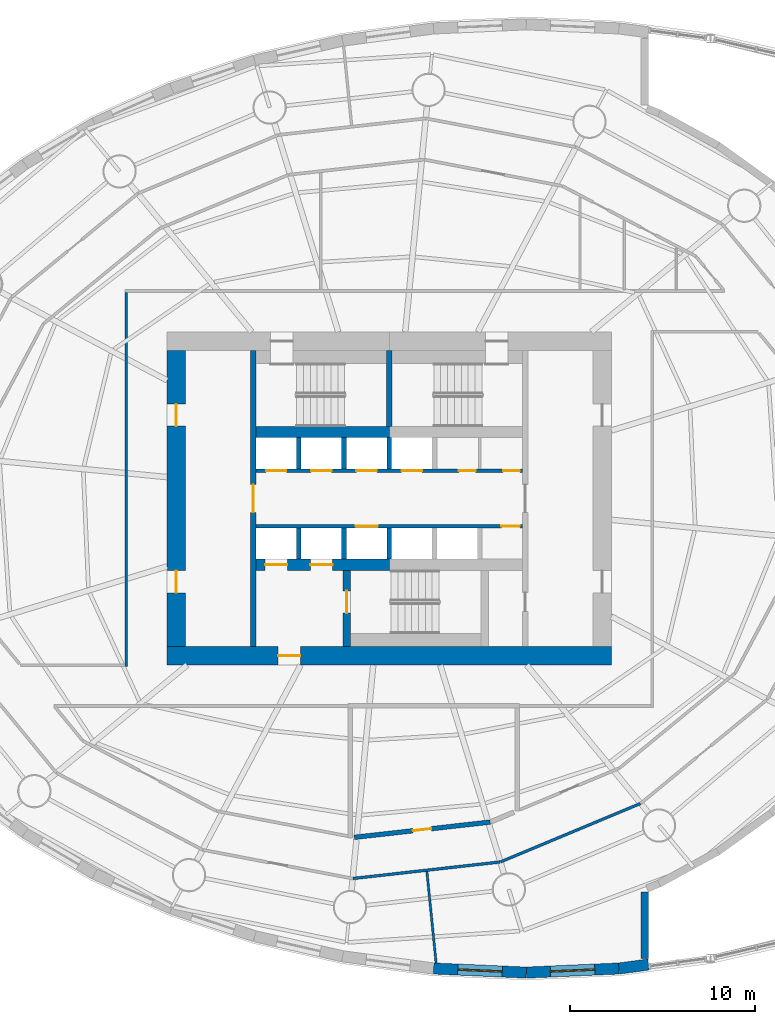
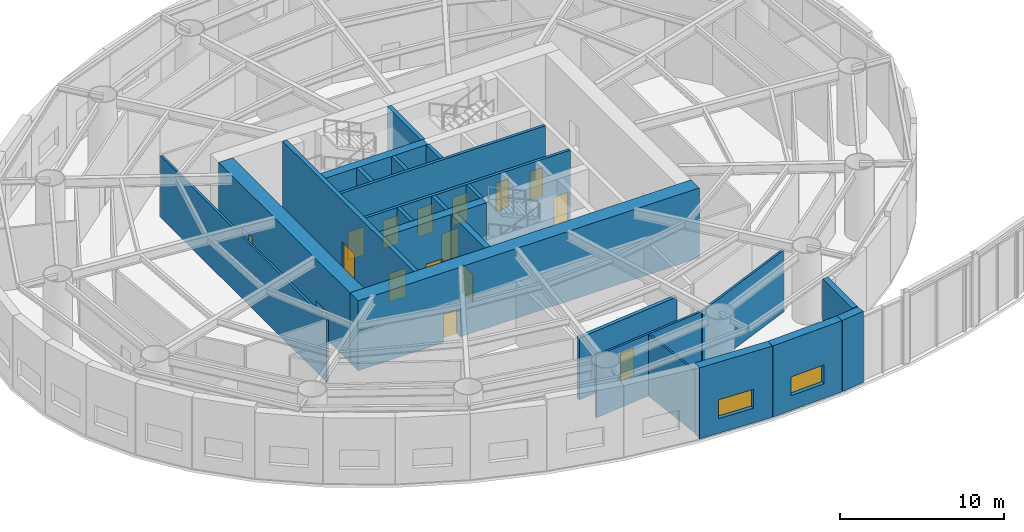
# One storey, part 15 of 19: 24 walls, 16 doors, 2 windows, 18 openings.
"""IFC4 building model written with IfcOpenShell, lengths in metres."""

from ifc_helpers import new_model, si_unit, direction, frame, frame_2d, origin, place, context, subcontext, project, spatial, rectangle, extrude, material, layer, layer_set, type_object, element, fill, save


model = new_model("IFC4")

# Units and contexts
model_context = context("Model", 3, precision=1e-05, world=origin(), true_north=direction((0.0, 1.0)))
body_context = subcontext(model_context, "Body", "Model", "MODEL_VIEW")
ifc_project = project(units=[si_unit("LENGTHUNIT", "METRE"), si_unit("AREAUNIT", "SQUARE_METRE"), si_unit("VOLUMEUNIT", "CUBIC_METRE"), si_unit("PLANEANGLEUNIT", "RADIAN"), si_unit("MASSUNIT", "GRAM", prefix="KILO")], contexts=[model_context])

# Site, building, storey
site_placement = place(None, origin())
site = spatial("IfcSite", under=ifc_project, at=site_placement, CompositionType="ELEMENT")
building_placement = place(site_placement, origin())
building = spatial("IfcBuilding", under=site, at=building_placement, Name="Vermilion Reach Broadcast Tower", CompositionType="ELEMENT")
storey_placement = place(building_placement, frame((0.0, 0.0, 26.0)))
storey = spatial("IfcBuildingStorey", under=building, at=storey_placement, Name="L03", CompositionType="ELEMENT", Elevation=26.0)

# Wall
ifc_material_1 = material(Name="Precast concrete C40/50 with acoustic cladding", Category="concrete")
ifc_layer_1 = layer(ifc_material_1, 0.39990234375)
ifc_layer_set_1 = layer_set([ifc_layer_1], Name="Atrium end wall 400")
wall_type_1 = type_object("IfcWallType", Name="Atrium end wall 400", PredefinedType="SOLIDWALL", material=ifc_layer_set_1)
wall_1_placement = place(storey_placement, frame((7.800048828125, -21.245849609375, 0.0), z_axis=(0.0, 0.0, 1.0), x_axis=(0.0, -1.0, 0.0)))
element("IfcWall", 1, at=wall_1_placement, inside=storey, type_object=wall_type_1, Name="Atrium end wall L03 2", PredefinedType="SOLIDWALL", context=body_context, shape_type="SweptSolid", body=[
    extrude(rectangle(XDim=3.599365234375, YDim=0.39990234375, at=frame_2d((1.7998046875, 0.0))), origin(), (0.0, 0.0, 1.0), 5.300048828125),
])

# Wall, opening, door
ifc_material_2 = material(Name="Concrete C70", Category="concrete")
ifc_layer_2 = layer(ifc_material_2, 0.300048828125)
ifc_layer_set_2 = layer_set([ifc_layer_2], Name="Core inner wall 300 mm Concrete C70")
wall_type_2 = type_object("IfcWallType", Name="Core inner wall 300 mm Concrete C70", PredefinedType="SHEAR", material=ifc_layer_set_2)
wall_2_placement = place(storey_placement, frame((-13.35009765625, 8.0, 0.0), z_axis=(0.0, 0.0, 1.0), x_axis=(0.0, -1.0, 0.0)))
wall_2 = element("IfcWall", 2, at=wall_2_placement, inside=storey, type_object=wall_type_2, Name="L03 core wall ewW", PredefinedType="SHEAR", context=body_context, shape_type="SweptSolid", body=[
    extrude(rectangle(XDim=16.0, YDim=0.300048828125, at=frame_2d((8.0, 0.0))), origin(), (0.0, 0.0, 1.0), 5.199951171875),
])
opening_1_placement = place(wall_2_placement, frame((7.25, 0.0, 0.0)))
opening_1 = element("IfcOpeningElement", 3, at=opening_1_placement, cuts=wall_2, Name="Opening D04", PredefinedType="OPENING", context=body_context, shape_type="SweptSolid", body=[
    extrude(rectangle(XDim=1.5, YDim=2.10009765625, at=frame_2d((0.75, 1.050048828125))), frame((0.0, 0.159912109375, 0.0), z_axis=(0.0, -1.0, 0.0), x_axis=(1.0, 0.0, 0.0)), (0.0, 0.0, 1.0), 0.320068359375),
])
ifc_material_3 = material(Name="Painted steel fire door", Category="steel")
door_type_1 = type_object("IfcDoorType", Name="Lift lobby door 1500 x 2100", OperationType="DOUBLE_DOOR_SINGLE_SWING", PredefinedType="NOTDEFINED", material=ifc_material_3)
door_1_placement = place(opening_1_placement, origin())
door_1 = element("IfcDoor", 4, at=door_1_placement, inside=storey, type_object=door_type_1, Name="L03 band door BW", OperationType="DOUBLE_DOOR_SINGLE_SWING", OverallHeight=2.10009765625, OverallWidth=1.5, PredefinedType="NOTDEFINED", context=body_context, shape_type="SweptSolid", body=[
    extrude(rectangle(XDim=1.5, YDim=2.10009765625, at=frame_2d((0.75, 1.050048828125))), frame((0.0, 0.02490234375, 0.0), z_axis=(0.0, -1.0, 0.0), x_axis=(1.0, 0.0, 0.0)), (0.0, 0.0, 1.0), 0.050048828125),
])
fill(opening_1, door_1)

# Wall
wall_3_placement = place(storey_placement, frame((-6.0, 3.8798828125, 0.0), z_axis=(0.0, 0.0, 1.0), x_axis=(0.0, 1.0, 0.0)))
element("IfcWall", 5, at=wall_3_placement, inside=storey, type_object=wall_type_2, Name="L03 core wall wc", PredefinedType="SHEAR", context=body_context, shape_type="SweptSolid", body=[
    extrude(rectangle(XDim=4.1201171875, YDim=0.300048828125, at=frame_2d((2.06005859375, 0.0))), origin(), (0.0, 0.0, 1.0), 5.199951171875),
])

# Wall, opening, door
ifc_material_4 = material(Name="Concrete C70", Category="concrete")
ifc_layer_3 = layer(ifc_material_4, 0.39990234375)
ifc_layer_set_3 = layer_set([ifc_layer_3], Name="Core inner wall 400 mm Concrete C70")
wall_type_3 = type_object("IfcWallType", Name="Core inner wall 400 mm Concrete C70", PredefinedType="SHEAR", material=ifc_layer_set_3)
wall_4_placement = place(storey_placement, frame((-8.300048828125, -3.8798828125, 0.0), z_axis=(0.0, 0.0, 1.0), x_axis=(0.0, -1.0, 0.0)))
wall_4 = element("IfcWall", 6, at=wall_4_placement, inside=storey, type_object=wall_type_3, Name="L03 core wall wa", PredefinedType="SHEAR", context=body_context, shape_type="SweptSolid", body=[
    extrude(rectangle(XDim=4.1201171875, YDim=0.39990234375, at=frame_2d((2.06005859375, 0.0))), origin(), (0.0, 0.0, 1.0), 5.199951171875),
])
opening_2_placement = place(wall_4_placement, frame((1.110107421875, 0.0, 0.0)))
opening_2 = element("IfcOpeningElement", 7, at=opening_2_placement, cuts=wall_4, Name="Opening D01", PredefinedType="OPENING", context=body_context, shape_type="SweptSolid", body=[
    extrude(rectangle(XDim=1.199951171875, YDim=2.10009765625, at=frame_2d((0.60009765625, 1.050048828125))), frame((0.0, 0.2099609375, 0.0), z_axis=(0.0, -1.0, 0.0), x_axis=(1.0, 0.0, 0.0)), (0.0, 0.0, 1.0), 0.419921875),
])
ifc_material_5 = material(Name="Painted steel fire door", Category="steel")
door_type_2 = type_object("IfcDoorType", Name="Stair door 1200 x 2100", OperationType="DOUBLE_DOOR_SINGLE_SWING", PredefinedType="NOTDEFINED", material=ifc_material_5)
door_2_placement = place(opening_2_placement, origin())
door_2 = element("IfcDoor", 8, at=door_2_placement, inside=storey, type_object=door_type_2, Name="L03 stair door ST3", OperationType="DOUBLE_DOOR_SINGLE_SWING", OverallHeight=2.10009765625, OverallWidth=1.199951171875, PredefinedType="NOTDEFINED", context=body_context, shape_type="SweptSolid", body=[
    extrude(rectangle(XDim=1.199951171875, YDim=2.10009765625, at=frame_2d((0.60009765625, 1.050048828125))), frame((0.0, 0.02490234375, 0.0), z_axis=(0.0, -1.0, 0.0), x_axis=(1.0, 0.0, 0.0)), (0.0, 0.0, 1.0), 0.050048828125),
])
fill(opening_2, door_2)

# Wall
ifc_material_6 = material(Name="Concrete C70", Category="concrete")
ifc_layer_4 = layer(ifc_material_6, 0.60009765625)
ifc_layer_set_4 = layer_set([ifc_layer_4], Name="Core inner wall 600 mm Concrete C70")
wall_type_4 = type_object("IfcWallType", Name="Core inner wall 600 mm Concrete C70", PredefinedType="SHEAR", material=ifc_layer_set_4)
wall_5_placement = place(storey_placement, frame((-13.199951171875, 3.580078125, 0.0), z_axis=(0.0, 0.0, 1.0), x_axis=(1.0, 0.0, 0.0)))
element("IfcWall", 9, at=wall_5_placement, inside=storey, type_object=wall_type_4, Name="L03 core wall winW", PredefinedType="SHEAR", context=body_context, shape_type="SweptSolid", body=[
    extrude(rectangle(XDim=7.199951171875, YDim=0.60009765625, at=frame_2d((3.60009765625, 0.0))), origin(), (0.0, 0.0, 1.0), 5.199951171875),
])

# Wall, openings, doors
wall_6_placement = place(storey_placement, frame((-13.199951171875, -3.580078125, 0.0), z_axis=(0.0, 0.0, 1.0), x_axis=(1.0, 0.0, 0.0)))
wall_6 = element("IfcWall", 10, at=wall_6_placement, inside=storey, type_object=wall_type_4, Name="L03 core wall wisW", PredefinedType="SHEAR", context=body_context, shape_type="SweptSolid", body=[
    extrude(rectangle(XDim=7.199951171875, YDim=0.60009765625, at=frame_2d((3.60009765625, 0.0))), origin(), (0.0, 0.0, 1.0), 5.199951171875),
])
opening_3_placement = place(wall_6_placement, frame((0.495849609375, 0.0, 0.0)))
opening_3 = element("IfcOpeningElement", 11, at=opening_3_placement, cuts=wall_6, Name="Opening LD1", PredefinedType="OPENING", context=body_context, shape_type="SweptSolid", body=[
    extrude(rectangle(XDim=1.199951171875, YDim=2.10009765625, at=frame_2d((0.60009765625, 1.050048828125))), frame((0.0, 0.31005859375, 0.0), z_axis=(0.0, -1.0, 0.0), x_axis=(1.0, 0.0, 0.0)), (0.0, 0.0, 1.0), 0.6201171875),
])
opening_4_placement = place(wall_6_placement, frame((2.9375, 0.0, 0.0)))
opening_4 = element("IfcOpeningElement", 12, at=opening_4_placement, cuts=wall_6, Name="Opening LD1", PredefinedType="OPENING", context=body_context, shape_type="SweptSolid", body=[
    extrude(rectangle(XDim=1.199951171875, YDim=2.10009765625, at=frame_2d((0.60009765625, 1.050048828125))), frame((0.0, 0.31005859375, 0.0), z_axis=(0.0, -1.0, 0.0), x_axis=(1.0, 0.0, 0.0)), (0.0, 0.0, 1.0), 0.6201171875),
])
ifc_material_7 = material(Name="Stainless steel", Category="steel")
door_type_3 = type_object("IfcDoorType", Name="Landing door 1200 x 2100", OperationType="DOUBLE_DOOR_SLIDING", PredefinedType="NOTDEFINED", material=ifc_material_7)
door_3_placement = place(opening_3_placement, origin())
door_3 = element("IfcDoor", 13, at=door_3_placement, inside=storey, type_object=door_type_3, Name="L03 landing door FF1", OperationType="DOUBLE_DOOR_SLIDING", OverallHeight=2.10009765625, OverallWidth=1.199951171875, PredefinedType="NOTDEFINED", context=body_context, shape_type="SweptSolid", body=[
    extrude(rectangle(XDim=1.199951171875, YDim=2.10009765625, at=frame_2d((0.60009765625, 1.050048828125))), frame((0.0, 0.02490234375, 0.0), z_axis=(0.0, -1.0, 0.0), x_axis=(1.0, 0.0, 0.0)), (0.0, 0.0, 1.0), 0.050048828125),
])
fill(opening_3, door_3)
door_4_placement = place(opening_4_placement, origin())
door_4 = element("IfcDoor", 14, at=door_4_placement, inside=storey, type_object=door_type_3, Name="L03 landing door FF2", OperationType="DOUBLE_DOOR_SLIDING", OverallHeight=2.10009765625, OverallWidth=1.199951171875, PredefinedType="NOTDEFINED", context=body_context, shape_type="SweptSolid", body=[
    extrude(rectangle(XDim=1.199951171875, YDim=2.10009765625, at=frame_2d((0.60009765625, 1.050048828125))), frame((0.0, 0.02490234375, 0.0), z_axis=(0.0, -1.0, 0.0), x_axis=(1.0, 0.0, 0.0)), (0.0, 0.0, 1.0), 0.050048828125),
])
fill(opening_4, door_4)

# Wall, opening, door
ifc_material_8 = material(Name="Concrete C70", Category="concrete")
ifc_layer_5 = layer(ifc_material_8, 1.0)
ifc_layer_set_5 = layer_set([ifc_layer_5], Name="Core outer wall 1000 mm Concrete C70")
wall_type_5 = type_object("IfcWallType", Name="Core outer wall 1000 mm Concrete C70", PredefinedType="SHEAR", material=ifc_layer_set_5)
wall_7_placement = place(storey_placement, frame((-18.0, -8.5, 0.0), z_axis=(0.0, 0.0, 1.0), x_axis=(1.0, 0.0, 0.0)))
wall_7 = element("IfcWall", 15, at=wall_7_placement, inside=storey, type_object=wall_type_5, Name="L03 core wall os", PredefinedType="SHEAR", context=body_context, shape_type="SweptSolid", body=[
    extrude(rectangle(XDim=24.0, YDim=1.0, at=frame_2d((12.0, 0.0))), origin(), (0.0, 0.0, 1.0), 5.199951171875),
])
opening_5_placement = place(wall_7_placement, frame((6.0, 0.0, 0.0)))
opening_5 = element("IfcOpeningElement", 16, at=opening_5_placement, cuts=wall_7, Name="Opening D02", PredefinedType="OPENING", context=body_context, shape_type="SweptSolid", body=[
    extrude(rectangle(XDim=1.199951171875, YDim=2.10009765625, at=frame_2d((0.60009765625, 1.050048828125))), frame((0.0, 0.510009765625, 0.0), z_axis=(0.0, -1.0, 0.0), x_axis=(1.0, 0.0, 0.0)), (0.0, 0.0, 1.0), 1.02001953125),
])
ifc_material_9 = material(Name="Painted steel fire door", Category="steel")
door_type_4 = type_object("IfcDoorType", Name="Firefighting lobby door 1200 x 2100", OperationType="DOUBLE_DOOR_SINGLE_SWING", PredefinedType="NOTDEFINED", material=ifc_material_9)
door_5_placement = place(opening_5_placement, origin())
door_5 = element("IfcDoor", 17, at=door_5_placement, inside=storey, type_object=door_type_4, Name="L03 ffdoor door FFL", OperationType="DOUBLE_DOOR_SINGLE_SWING", OverallHeight=2.10009765625, OverallWidth=1.199951171875, PredefinedType="NOTDEFINED", context=body_context, shape_type="SweptSolid", body=[
    extrude(rectangle(XDim=1.199951171875, YDim=2.10009765625, at=frame_2d((0.60009765625, 1.050048828125))), frame((0.0, 0.02490234375, 0.0), z_axis=(0.0, -1.0, 0.0), x_axis=(1.0, 0.0, 0.0)), (0.0, 0.0, 1.0), 0.050048828125),
])
fill(opening_5, door_5)

# Wall, openings, doors
wall_8_placement = place(storey_placement, frame((-17.5, 8.0, 0.0), z_axis=(0.0, 0.0, 1.0), x_axis=(0.0, -1.0, 0.0)))
wall_8 = element("IfcWall", 18, at=wall_8_placement, inside=storey, type_object=wall_type_5, Name="L03 core wall ow", PredefinedType="SHEAR", context=body_context, shape_type="SweptSolid", body=[
    extrude(rectangle(XDim=16.0, YDim=1.0, at=frame_2d((8.0, 0.0))), origin(), (0.0, 0.0, 1.0), 5.199951171875),
])
opening_6_placement = place(wall_8_placement, frame((11.89990234375, 0.0, 0.0)))
opening_6 = element("IfcOpeningElement", 19, at=opening_6_placement, cuts=wall_8, Name="Opening D03", PredefinedType="OPENING", context=body_context, shape_type="SweptSolid", body=[
    extrude(rectangle(XDim=1.199951171875, YDim=2.10009765625, at=frame_2d((0.60009765625, 1.050048828125))), frame((0.0, 0.510009765625, 0.0), z_axis=(0.0, -1.0, 0.0), x_axis=(1.0, 0.0, 0.0)), (0.0, 0.0, 1.0), 1.02001953125),
])
opening_7_placement = place(wall_8_placement, frame((2.89990234375, 0.0, 0.0)))
opening_7 = element("IfcOpeningElement", 20, at=opening_7_placement, cuts=wall_8, Name="Opening D03", PredefinedType="OPENING", context=body_context, shape_type="SweptSolid", body=[
    extrude(rectangle(XDim=1.199951171875, YDim=2.10009765625, at=frame_2d((0.60009765625, 1.050048828125))), frame((0.0, 0.510009765625, 0.0), z_axis=(0.0, -1.0, 0.0), x_axis=(1.0, 0.0, 0.0)), (0.0, 0.0, 1.0), 1.02001953125),
])
ifc_material_10 = material(Name="Painted steel fire door", Category="steel")
door_type_5 = type_object("IfcDoorType", Name="Core lobby door 1200 x 2100", OperationType="DOUBLE_DOOR_SINGLE_SWING", PredefinedType="NOTDEFINED", material=ifc_material_10)
door_6_placement = place(opening_6_placement, origin())
door_6 = element("IfcDoor", 21, at=door_6_placement, inside=storey, type_object=door_type_5, Name="L03 slot door W0", OperationType="DOUBLE_DOOR_SINGLE_SWING", OverallHeight=2.10009765625, OverallWidth=1.199951171875, PredefinedType="NOTDEFINED", context=body_context, shape_type="SweptSolid", body=[
    extrude(rectangle(XDim=1.199951171875, YDim=2.10009765625, at=frame_2d((0.60009765625, 1.050048828125))), frame((0.0, 0.02490234375, 0.0), z_axis=(0.0, -1.0, 0.0), x_axis=(1.0, 0.0, 0.0)), (0.0, 0.0, 1.0), 0.050048828125),
])
fill(opening_6, door_6)
door_7_placement = place(opening_7_placement, origin())
door_7 = element("IfcDoor", 22, at=door_7_placement, inside=storey, type_object=door_type_5, Name="L03 slot door W1", OperationType="DOUBLE_DOOR_SINGLE_SWING", OverallHeight=2.10009765625, OverallWidth=1.199951171875, PredefinedType="NOTDEFINED", context=body_context, shape_type="SweptSolid", body=[
    extrude(rectangle(XDim=1.199951171875, YDim=2.10009765625, at=frame_2d((0.60009765625, 1.050048828125))), frame((0.0, 0.02490234375, 0.0), z_axis=(0.0, -1.0, 0.0), x_axis=(1.0, 0.0, 0.0)), (0.0, 0.0, 1.0), 0.050048828125),
])
fill(opening_7, door_7)

ifc_material_11 = material(Name="Concrete C50", Category="concrete")
ifc_layer_6 = layer(ifc_material_11, 0.199951171875)
ifc_layer_set_6 = layer_set([ifc_layer_6], Name="Core shaft wall 200 mm Concrete C50")
wall_type_6 = type_object("IfcWallType", Name="Core shaft wall 200 mm Concrete C50", PredefinedType="SHEAR", material=ifc_layer_set_6)
wall_9_placement = place(storey_placement, frame((-13.199951171875, 1.5, 0.0), z_axis=(0.0, 0.0, 1.0), x_axis=(1.0, 0.0, 0.0)))
wall_9 = element("IfcWall", 23, at=wall_9_placement, inside=storey, type_object=wall_type_6, Name="L03 core wall fn", PredefinedType="SHEAR", context=body_context, shape_type="SweptSolid", body=[
    extrude(rectangle(XDim=14.39990234375, YDim=0.199951171875, at=frame_2d((7.199951171875, 0.0))), origin(), (0.0, 0.0, 1.0), 5.199951171875),
])
opening_8_placement = place(wall_9_placement, frame((0.5458984375, 0.0, 0.0)))
opening_8 = element("IfcOpeningElement", 24, at=opening_8_placement, cuts=wall_9, Name="Opening LD2", PredefinedType="OPENING", context=body_context, shape_type="SweptSolid", body=[
    extrude(rectangle(XDim=1.10009765625, YDim=2.10009765625, at=frame_2d((0.550048828125, 1.050048828125))), frame((0.0, 0.10986328125, 0.0), z_axis=(0.0, -1.0, 0.0), x_axis=(1.0, 0.0, 0.0)), (0.0, 0.0, 1.0), 0.219970703125),
])
opening_9_placement = place(wall_9_placement, frame((2.987548828125, 0.0, 0.0)))
opening_9 = element("IfcOpeningElement", 25, at=opening_9_placement, cuts=wall_9, Name="Opening LD2", PredefinedType="OPENING", context=body_context, shape_type="SweptSolid", body=[
    extrude(rectangle(XDim=1.10009765625, YDim=2.10009765625, at=frame_2d((0.550048828125, 1.050048828125))), frame((0.0, 0.10986328125, 0.0), z_axis=(0.0, -1.0, 0.0), x_axis=(1.0, 0.0, 0.0)), (0.0, 0.0, 1.0), 0.219970703125),
])
opening_10_placement = place(wall_9_placement, frame((5.42919921875, 0.0, 0.0)))
opening_10 = element("IfcOpeningElement", 26, at=opening_10_placement, cuts=wall_9, Name="Opening LD2", PredefinedType="OPENING", context=body_context, shape_type="SweptSolid", body=[
    extrude(rectangle(XDim=1.10009765625, YDim=2.10009765625, at=frame_2d((0.550048828125, 1.050048828125))), frame((0.0, 0.10986328125, 0.0), z_axis=(0.0, -1.0, 0.0), x_axis=(1.0, 0.0, 0.0)), (0.0, 0.0, 1.0), 0.219970703125),
])
opening_11_placement = place(wall_9_placement, frame((7.870849609375, 0.0, 0.0)))
opening_11 = element("IfcOpeningElement", 27, at=opening_11_placement, cuts=wall_9, Name="Opening LD2", PredefinedType="OPENING", context=body_context, shape_type="SweptSolid", body=[
    extrude(rectangle(XDim=1.10009765625, YDim=2.10009765625, at=frame_2d((0.550048828125, 1.050048828125))), frame((0.0, 0.10986328125, 0.0), z_axis=(0.0, -1.0, 0.0), x_axis=(1.0, 0.0, 0.0)), (0.0, 0.0, 1.0), 0.219970703125),
])
opening_12_placement = place(wall_9_placement, frame((10.958251953125, 0.0, 0.0)))
opening_12 = element("IfcOpeningElement", 28, at=opening_12_placement, cuts=wall_9, Name="Opening D06", PredefinedType="OPENING", context=body_context, shape_type="SweptSolid", body=[
    extrude(rectangle(XDim=0.89990234375, YDim=2.10009765625, at=frame_2d((0.449951171875, 1.050048828125))), frame((0.0, 0.10986328125, 0.0), z_axis=(0.0, -1.0, 0.0), x_axis=(1.0, 0.0, 0.0)), (0.0, 0.0, 1.0), 0.219970703125),
])
opening_13_placement = place(wall_9_placement, frame((13.35009765625, 0.0, 0.0)))
opening_13 = element("IfcOpeningElement", 29, at=opening_13_placement, cuts=wall_9, Name="Opening D06", PredefinedType="OPENING", context=body_context, shape_type="SweptSolid", body=[
    extrude(rectangle(XDim=0.89990234375, YDim=2.10009765625, at=frame_2d((0.449951171875, 1.050048828125))), frame((0.0, 0.10986328125, 0.0), z_axis=(0.0, -1.0, 0.0), x_axis=(1.0, 0.0, 0.0)), (0.0, 0.0, 1.0), 0.219970703125),
])
ifc_material_12 = material(Name="Stainless steel", Category="steel")
door_type_6 = type_object("IfcDoorType", Name="Landing door 1100 x 2100", OperationType="DOUBLE_DOOR_SLIDING", PredefinedType="NOTDEFINED", material=ifc_material_12)
door_8_placement = place(opening_8_placement, origin())
door_8 = element("IfcDoor", 30, at=door_8_placement, inside=storey, type_object=door_type_6, Name="L03 landing door LR1", OperationType="DOUBLE_DOOR_SLIDING", OverallHeight=2.10009765625, OverallWidth=1.10009765625, PredefinedType="NOTDEFINED", context=body_context, shape_type="SweptSolid", body=[
    extrude(rectangle(XDim=1.10009765625, YDim=2.10009765625, at=frame_2d((0.550048828125, 1.050048828125))), frame((0.0, 0.02490234375, 0.0), z_axis=(0.0, -1.0, 0.0), x_axis=(1.0, 0.0, 0.0)), (0.0, 0.0, 1.0), 0.050048828125),
])
fill(opening_8, door_8)
door_9_placement = place(opening_9_placement, origin())
door_9 = element("IfcDoor", 31, at=door_9_placement, inside=storey, type_object=door_type_6, Name="L03 landing door LR2", OperationType="DOUBLE_DOOR_SLIDING", OverallHeight=2.10009765625, OverallWidth=1.10009765625, PredefinedType="NOTDEFINED", context=body_context, shape_type="SweptSolid", body=[
    extrude(rectangle(XDim=1.10009765625, YDim=2.10009765625, at=frame_2d((0.550048828125, 1.050048828125))), frame((0.0, 0.02490234375, 0.0), z_axis=(0.0, -1.0, 0.0), x_axis=(1.0, 0.0, 0.0)), (0.0, 0.0, 1.0), 0.050048828125),
])
fill(opening_9, door_9)
door_10_placement = place(opening_10_placement, origin())
door_10 = element("IfcDoor", 32, at=door_10_placement, inside=storey, type_object=door_type_6, Name="L03 landing door LR3", OperationType="DOUBLE_DOOR_SLIDING", OverallHeight=2.10009765625, OverallWidth=1.10009765625, PredefinedType="NOTDEFINED", context=body_context, shape_type="SweptSolid", body=[
    extrude(rectangle(XDim=1.10009765625, YDim=2.10009765625, at=frame_2d((0.550048828125, 1.050048828125))), frame((0.0, 0.02490234375, 0.0), z_axis=(0.0, -1.0, 0.0), x_axis=(1.0, 0.0, 0.0)), (0.0, 0.0, 1.0), 0.050048828125),
])
fill(opening_10, door_10)
door_11_placement = place(opening_11_placement, origin())
door_11 = element("IfcDoor", 33, at=door_11_placement, inside=storey, type_object=door_type_6, Name="L03 landing door LR4", OperationType="DOUBLE_DOOR_SLIDING", OverallHeight=2.10009765625, OverallWidth=1.10009765625, PredefinedType="NOTDEFINED", context=body_context, shape_type="SweptSolid", body=[
    extrude(rectangle(XDim=1.10009765625, YDim=2.10009765625, at=frame_2d((0.550048828125, 1.050048828125))), frame((0.0, 0.02490234375, 0.0), z_axis=(0.0, -1.0, 0.0), x_axis=(1.0, 0.0, 0.0)), (0.0, 0.0, 1.0), 0.050048828125),
])
fill(opening_11, door_11)
ifc_material_13 = material(Name="Timber door", Category="wood")
door_type_7 = type_object("IfcDoorType", Name="WC door 900 x 2100", OperationType="NOTDEFINED", PredefinedType="NOTDEFINED", material=ifc_material_13)
door_12_placement = place(opening_12_placement, origin())
door_12 = element("IfcDoor", 34, at=door_12_placement, inside=storey, type_object=door_type_7, Name="L03 door Female WC", OperationType="SINGLE_SWING_RIGHT", OverallHeight=2.10009765625, OverallWidth=0.89990234375, PredefinedType="NOTDEFINED", context=body_context, shape_type="SweptSolid", body=[
    extrude(rectangle(XDim=0.89990234375, YDim=2.10009765625, at=frame_2d((0.449951171875, 1.050048828125))), frame((0.0, 0.02490234375, 0.0), z_axis=(0.0, -1.0, 0.0), x_axis=(1.0, 0.0, 0.0)), (0.0, 0.0, 1.0), 0.050048828125),
])
fill(opening_12, door_12)
door_13_placement = place(opening_13_placement, origin())
door_13 = element("IfcDoor", 35, at=door_13_placement, inside=storey, type_object=door_type_7, Name="L03 door Male WC", OperationType="SINGLE_SWING_RIGHT", OverallHeight=2.10009765625, OverallWidth=0.89990234375, PredefinedType="NOTDEFINED", context=body_context, shape_type="SweptSolid", body=[
    extrude(rectangle(XDim=0.89990234375, YDim=2.10009765625, at=frame_2d((0.449951171875, 1.050048828125))), frame((0.0, 0.02490234375, 0.0), z_axis=(0.0, -1.0, 0.0), x_axis=(1.0, 0.0, 0.0)), (0.0, 0.0, 1.0), 0.050048828125),
])
fill(opening_13, door_13)

wall_10_placement = place(storey_placement, frame((1.199951171875, -1.5, 0.0), z_axis=(0.0, 0.0, 1.0), x_axis=(-1.0, 0.0, 0.0)))
wall_10 = element("IfcWall", 36, at=wall_10_placement, inside=storey, type_object=wall_type_6, Name="L03 core wall fs", PredefinedType="SHEAR", context=body_context, shape_type="SweptSolid", body=[
    extrude(rectangle(XDim=14.39990234375, YDim=0.199951171875, at=frame_2d((7.199951171875, 0.0))), origin(), (0.0, 0.0, 1.0), 5.199951171875),
])
opening_14_placement = place(wall_10_placement, frame((7.82080078125, 0.0, 0.0)))
opening_14 = element("IfcOpeningElement", 37, at=opening_14_placement, cuts=wall_10, Name="Opening LD1", PredefinedType="OPENING", context=body_context, shape_type="SweptSolid", body=[
    extrude(rectangle(XDim=1.199951171875, YDim=2.10009765625, at=frame_2d((0.60009765625, 1.050048828125))), frame((0.0, 0.10986328125, 0.0), z_axis=(0.0, -1.0, 0.0), x_axis=(1.0, 0.0, 0.0)), (0.0, 0.0, 1.0), 0.219970703125),
])
opening_15_placement = place(wall_10_placement, frame((0.14990234375, 0.0, 0.0)))
opening_15 = element("IfcOpeningElement", 38, at=opening_15_placement, cuts=wall_10, Name="Opening D07", PredefinedType="OPENING", context=body_context, shape_type="SweptSolid", body=[
    extrude(rectangle(XDim=1.0, YDim=2.10009765625, at=frame_2d((0.5, 1.050048828125))), frame((0.0, 0.10986328125, 0.0), z_axis=(0.0, -1.0, 0.0), x_axis=(1.0, 0.0, 0.0)), (0.0, 0.0, 1.0), 0.219970703125),
])
ifc_material_14 = material(Name="Timber door", Category="wood")
door_type_8 = type_object("IfcDoorType", Name="Accessible WC door 1000 x 2100", OperationType="NOTDEFINED", PredefinedType="NOTDEFINED", material=ifc_material_14)
door_14_placement = place(opening_15_placement, origin())
door_14 = element("IfcDoor", 39, at=door_14_placement, inside=storey, type_object=door_type_8, Name="L03 door Accessible WC", OperationType="SINGLE_SWING_LEFT", OverallHeight=2.10009765625, OverallWidth=1.0, PredefinedType="NOTDEFINED", context=body_context, shape_type="SweptSolid", body=[
    extrude(rectangle(XDim=1.0, YDim=2.10009765625, at=frame_2d((0.5, 1.050048828125))), frame((0.0, 0.02490234375, 0.0), z_axis=(0.0, -1.0, 0.0), x_axis=(1.0, 0.0, 0.0)), (0.0, 0.0, 1.0), 0.050048828125),
])
fill(opening_15, door_14)
door_15_placement = place(opening_14_placement, origin())
door_15 = element("IfcDoor", 40, at=door_15_placement, inside=storey, type_object=door_type_3, Name="L03 landing door SV1", OperationType="DOUBLE_DOOR_SLIDING", OverallHeight=2.10009765625, OverallWidth=1.199951171875, PredefinedType="NOTDEFINED", context=body_context, shape_type="SweptSolid", body=[
    extrude(rectangle(XDim=1.199951171875, YDim=2.10009765625, at=frame_2d((0.60009765625, 1.050048828125))), frame((0.0, 0.02490234375, 0.0), z_axis=(0.0, -1.0, 0.0), x_axis=(1.0, 0.0, 0.0)), (0.0, 0.0, 1.0), 0.050048828125),
])
fill(opening_14, door_15)

# Walls
ifc_material_15 = material(Name="Concrete C50", Category="concrete")
ifc_layer_7 = layer(ifc_material_15, 0.25)
ifc_layer_set_7 = layer_set([ifc_layer_7], Name="Core shaft wall 250 mm Concrete C50")
wall_type_7 = type_object("IfcWallType", Name="Core shaft wall 250 mm Concrete C50", PredefinedType="SHEAR", material=ifc_layer_set_7)
for number, where, z_axis, x_axis, name in (
    (41, (-10.88330078125, 1.60009765625, 0.0), (0.0, 0.0, 1.0), (0.0, 1.0, 0.0), "L03 core wall psN0"),
    (42, (-8.441650390625, 1.60009765625, 0.0), (0.0, 0.0, 1.0), (0.0, 1.0, 0.0), "L03 core wall psN1"),
    (43, (-6.0, 1.60009765625, 0.0), (0.0, 0.0, 1.0), (0.0, 1.0, 0.0), "L03 core wall psN2"),
    (44, (-10.88330078125, -1.60009765625, 0.0), (0.0, 0.0, 1.0), (0.0, -1.0, 0.0), "L03 core wall psS0"),
    (45, (-8.441650390625, -1.60009765625, 0.0), (0.0, 0.0, 1.0), (0.0, -1.0, 0.0), "L03 core wall psS1"),
    (46, (-6.0, -1.60009765625, 0.0), (0.0, 0.0, 1.0), (0.0, -1.0, 0.0), "L03 core wall psS2"),
):
    element("IfcWall", number, at=place(storey_placement, frame(where, z_axis=z_axis, x_axis=x_axis)), inside=storey, type_object=wall_type_7, Name=name, PredefinedType="SHEAR", context=body_context, shape_type="SweptSolid", body=[
        extrude(rectangle(XDim=1.679931640625, YDim=0.25, at=frame_2d((0.83984375, 0.0))), origin(), (0.0, 0.0, 1.0), 5.199951171875),
    ])
ifc_material_16 = material(Name="Gypsum board partition")
ifc_layer_8 = layer(ifc_material_16, 0.14990234375)
ifc_layer_set_8 = layer_set([ifc_layer_8], Name="Corridor wall 150")
wall_type_8 = type_object("IfcWallType", Name="Corridor wall 150", PredefinedType="PARTITIONING", material=ifc_layer_set_8)
wall_11_placement = place(storey_placement, frame((-20.199951171875, -9.0751953125, 0.0), z_axis=(0.0, 0.0, 1.0), x_axis=(0.0, 1.0, 0.0)))
element("IfcWall", 47, at=wall_11_placement, inside=storey, type_object=wall_type_8, Name="sp.wall.L03.001", PredefinedType="PARTITIONING", context=body_context, shape_type="SweptSolid", body=[
    extrude(rectangle(XDim=20.2001953125, YDim=0.14990234375, at=frame_2d((10.10009765625, 0.0))), origin(), (0.0, 0.0, 1.0), 4.60009765625),
])
wall_12_placement = place(storey_placement, frame((-7.94921875, -20.518310546875, 0.0), z_axis=(0.0, 0.0, 1.0), x_axis=(0.993764533241, 0.11149911422, 0.0)))
element("IfcWall", 48, at=wall_12_placement, inside=storey, type_object=wall_type_8, Name="sp.wall.L03.050", PredefinedType="PARTITIONING", context=body_context, shape_type="SweptSolid", body=[
    extrude(rectangle(XDim=7.981201171875, YDim=0.14990234375, at=frame_2d((3.99072265625, 0.0))), origin(), (0.0, 0.0, 1.0), 4.60009765625),
])
wall_13_placement = place(storey_placement, frame((0.00390625, -19.6259765625, 0.0), z_axis=(0.0, 0.0, 1.0), x_axis=(0.922818121352, 0.385235921097, 0.0)))
element("IfcWall", 49, at=wall_13_placement, inside=storey, type_object=wall_type_8, Name="sp.wall.L03.051", PredefinedType="PARTITIONING", context=body_context, shape_type="SweptSolid", body=[
    extrude(rectangle(XDim=8.18408203125, YDim=0.14990234375, at=frame_2d((4.092041015625, 0.0))), origin(), (0.0, 0.0, 1.0), 4.60009765625),
])
ifc_material_17 = material(Name="Gypsum board partition")
ifc_layer_9 = layer(ifc_material_17, 0.125)
ifc_layer_set_9 = layer_set([ifc_layer_9], Name="Partition 125 plasterboard")
wall_type_9 = type_object("IfcWallType", Name="Partition 125 plasterboard", PredefinedType="PARTITIONING", material=ifc_layer_set_9)
wall_14_placement = place(storey_placement, frame((-3.9677734375, -20.147705078125, 0.0), z_axis=(0.0, 0.0, 1.0), x_axis=(0.100365881287, -0.9949505967, 0.0)))
element("IfcWall", 50, at=wall_14_placement, inside=storey, type_object=wall_type_9, Name="sp.wall.L03.034", PredefinedType="PARTITIONING", context=body_context, shape_type="SweptSolid", body=[
    extrude(rectangle(XDim=4.96240234375, YDim=0.125, at=frame_2d((2.481201171875, 0.0))), origin(), (0.0, 0.0, 1.0), 4.60009765625),
])

# Wall, opening, window
ifc_material_18 = material(Name="Precast concrete C40/50 with acoustic cladding", Category="concrete")
ifc_layer_10 = layer(ifc_material_18, 0.60009765625)
ifc_layer_set_10 = layer_set([ifc_layer_10], Name="Podium acoustic wall 600")
wall_type_10 = type_object("IfcWallType", Name="Podium acoustic wall 600", PredefinedType="SOLIDWALL", material=ifc_layer_set_10)
wall_15_placement = place(storey_placement, frame((-3.60302734375, -25.379150390625, 0.0), z_axis=(0.0, 0.0, 1.0), x_axis=(0.999026213515, -0.044120570136, 0.0)))
wall_15 = element("IfcWall", 51, at=wall_15_placement, inside=storey, type_object=wall_type_10, Name="Podium wall L03 str25", PredefinedType="SOLIDWALL", context=body_context, shape_type="SweptSolid", body=[
    extrude(rectangle(XDim=5.0078125, YDim=0.60009765625, at=frame_2d((2.50390625, 0.0))), origin(), (0.0, 0.0, 1.0), 5.300048828125),
])
opening_16_placement = place(wall_15_placement, frame((1.303955078125, 0.0, 1.10009765625)))
opening_16 = element("IfcOpeningElement", 52, at=opening_16_placement, cuts=wall_15, Name="Opening W11", PredefinedType="OPENING", context=body_context, shape_type="SweptSolid", body=[
    extrude(rectangle(XDim=2.39990234375, YDim=1.39990234375, at=frame_2d((1.199951171875, 0.699951171875))), frame((0.0, 0.31005859375, 0.0), z_axis=(0.0, -1.0, 0.0), x_axis=(1.0, 0.0, 0.0)), (0.0, 0.0, 1.0), 0.6201171875),
])
ifc_material_19 = material(Name="Acoustic laminated glass in aluminium frame", Category="aluminium")
window_type = type_object("IfcWindowType", Name="Control room window 2400 x 1400", PartitioningType="SINGLE_PANEL", PredefinedType="WINDOW", material=ifc_material_19)
window_1_placement = place(opening_16_placement, origin())
window_1 = element("IfcWindow", 53, at=window_1_placement, inside=storey, type_object=window_type, Name="Window L03 25", OverallHeight=1.39990234375, OverallWidth=2.39990234375, PartitioningType="SINGLE_PANEL", PredefinedType="WINDOW", context=body_context, shape_type="SweptSolid", body=[
    extrude(rectangle(XDim=2.39990234375, YDim=1.39990234375, at=frame_2d((1.199951171875, 0.699951171875))), frame((0.0, 0.030029296875, 0.0), z_axis=(0.0, -1.0, 0.0), x_axis=(1.0, 0.0, 0.0)), (0.0, 0.0, 1.0), 0.06005859375),
])
fill(opening_16, window_1)

wall_16_placement = place(storey_placement, frame((1.39990234375, -25.60009765625, 0.0), z_axis=(0.0, 0.0, 1.0), x_axis=(0.99902630841, 0.044118421369, 0.0)))
wall_16 = element("IfcWall", 54, at=wall_16_placement, inside=storey, type_object=wall_type_10, Name="Podium wall L03 str26", PredefinedType="SOLIDWALL", context=body_context, shape_type="SweptSolid", body=[
    extrude(rectangle(XDim=5.008056640625, YDim=0.60009765625, at=frame_2d((2.50390625, 0.0))), origin(), (0.0, 0.0, 1.0), 5.300048828125),
])
opening_17_placement = place(wall_16_placement, frame((1.303955078125, 0.0, 1.10009765625)))
opening_17 = element("IfcOpeningElement", 55, at=opening_17_placement, cuts=wall_16, Name="Opening W11", PredefinedType="OPENING", context=body_context, shape_type="SweptSolid", body=[
    extrude(rectangle(XDim=2.39990234375, YDim=1.39990234375, at=frame_2d((1.199951171875, 0.699951171875))), frame((0.0, 0.31005859375, 0.0), z_axis=(0.0, -1.0, 0.0), x_axis=(1.0, 0.0, 0.0)), (0.0, 0.0, 1.0), 0.6201171875),
])
window_2_placement = place(opening_17_placement, origin())
window_2 = element("IfcWindow", 56, at=window_2_placement, inside=storey, type_object=window_type, Name="Window L03 26", OverallHeight=1.39990234375, OverallWidth=2.39990234375, PartitioningType="SINGLE_PANEL", PredefinedType="WINDOW", context=body_context, shape_type="SweptSolid", body=[
    extrude(rectangle(XDim=2.39990234375, YDim=1.39990234375, at=frame_2d((1.199951171875, 0.699951171875))), frame((0.0, 0.030029296875, 0.0), z_axis=(0.0, -1.0, 0.0), x_axis=(1.0, 0.0, 0.0)), (0.0, 0.0, 1.0), 0.06005859375),
])
fill(opening_17, window_2)

# Wall
wall_17_placement = place(storey_placement, frame((6.403076171875, -25.379150390625, 0.0), z_axis=(0.0, 0.0, 1.0), x_axis=(0.991131029833, 0.132888230112, 0.0)))
element("IfcWall", 57, at=wall_17_placement, inside=storey, type_object=wall_type_10, Name="Podium wall L03 str27", PredefinedType="SOLIDWALL", context=body_context, shape_type="SweptSolid", body=[
    extrude(rectangle(XDim=1.611328125, YDim=0.60009765625, at=frame_2d((0.8056640625, 0.0))), origin(), (0.0, 0.0, 1.0), 5.300048828125),
])

# Wall, opening, door
ifc_material_20 = material(Name="Gypsum board shaft wall")
ifc_layer_11 = layer(ifc_material_20, 0.25)
ifc_layer_set_11 = layer_set([ifc_layer_11], Name="Server room wall 250")
wall_type_11 = type_object("IfcWallType", Name="Server room wall 250", PredefinedType="PARTITIONING", material=ifc_layer_set_11)
wall_18_placement = place(storey_placement, frame((-7.886474609375, -18.297607421875, 0.0), z_axis=(0.0, 0.0, 1.0), x_axis=(0.993760870071, 0.111531758324, 0.0)))
wall_18 = element("IfcWall", 58, at=wall_18_placement, inside=storey, type_object=wall_type_11, Name="sp.wall.L03.027", PredefinedType="PARTITIONING", context=body_context, shape_type="SweptSolid", body=[
    extrude(rectangle(XDim=7.379150390625, YDim=0.25, at=frame_2d((3.689453125, 0.0))), origin(), (0.0, 0.0, 1.0), 4.60009765625),
])
opening_18_placement = place(wall_18_placement, frame((3.189453125, 0.0, 0.0)))
opening_18 = element("IfcOpeningElement", 59, at=opening_18_placement, cuts=wall_18, Name="Opening D54", PredefinedType="OPENING", context=body_context, shape_type="SweptSolid", body=[
    extrude(rectangle(XDim=1.0, YDim=2.10009765625, at=frame_2d((0.5, 1.050048828125))), frame((0.0, 0.135009765625, 0.0), z_axis=(0.0, -1.0, 0.0), x_axis=(1.0, 0.0, 0.0)), (0.0, 0.0, 1.0), 0.27001953125),
])
ifc_material_21 = material(Name="Timber and steel door set", Category="steel")
door_type_9 = type_object("IfcDoorType", Name="Fire door 1000x2100", OperationType="NOTDEFINED", PredefinedType="DOOR", material=ifc_material_21)
door_16_placement = place(opening_18_placement, origin())
door_16 = element("IfcDoor", 60, at=door_16_placement, inside=storey, type_object=door_type_9, Name="sp.door.L03.006", OperationType="SINGLE_SWING_LEFT", OverallHeight=2.10009765625, OverallWidth=1.0, PredefinedType="DOOR", context=body_context, shape_type="SweptSolid", body=[
    extrude(rectangle(XDim=1.0, YDim=2.10009765625, at=frame_2d((0.5, 1.050048828125))), frame((0.0, 0.02490234375, 0.0), z_axis=(0.0, -1.0, 0.0), x_axis=(1.0, 0.0, 0.0)), (0.0, 0.0, 1.0), 0.050048828125),
])
fill(opening_18, door_16)

save(model, "model.ifc")
